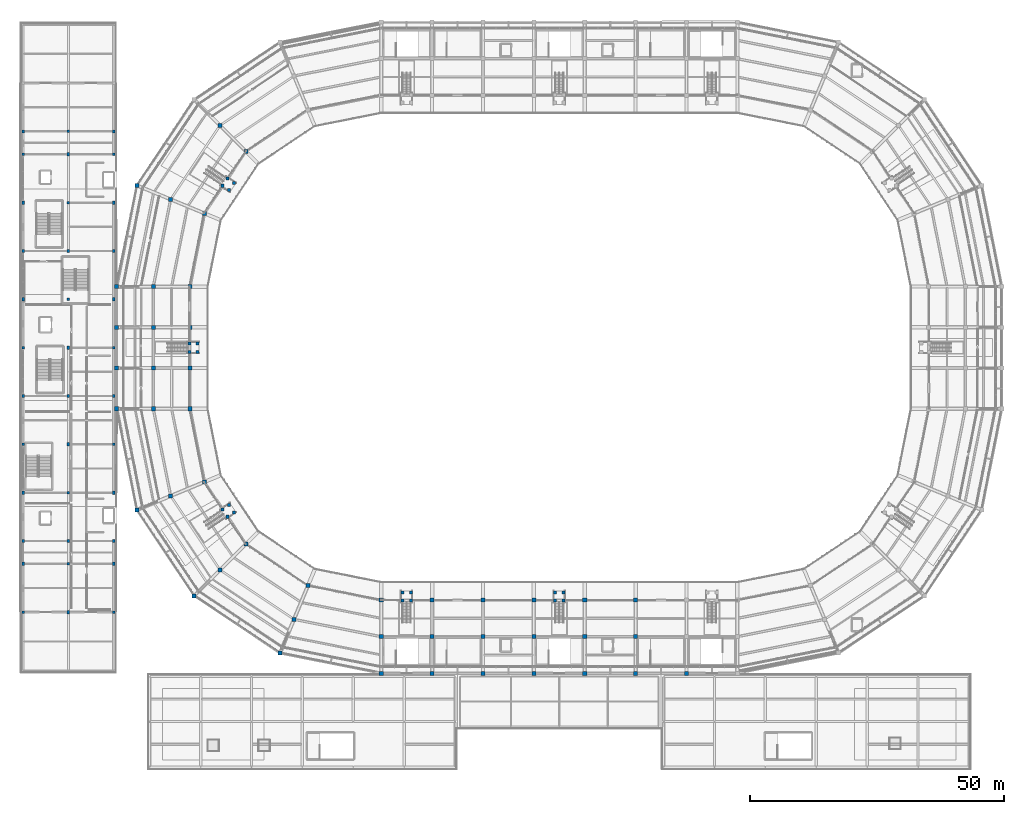
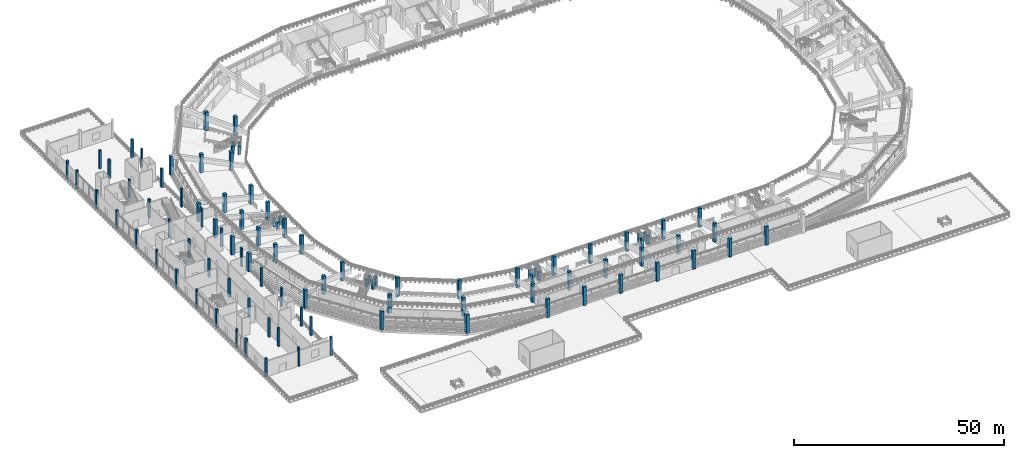
# One storey, part 1 of 96: 101 columns.
"""IFC4 building model written with IfcOpenShell, lengths in metres."""

import ifcopenshell
import ifcopenshell.guid

model = None  # the IFC model being written
_history = None  # IfcOwnerHistory: only IFC2X3 demands one
_inside = {}  # id of a spatial element -> (the spatial element, [elements in it])
_under = {}  # id of a project, library or spatial element -> (it, [spatial elements below it])
_declared = {}  # id of a project -> (the project, [libraries it declares])
_typed = {}  # id of a type object -> (the type object, [elements of that type])
_made_of = {}  # id of a material, layer set ... -> (it, [elements and type objects made of it])


def new_model(schema):
    """Start an empty IFC model of exactly this schema.

    Asked for "IFC4X3", IfcOpenShell would pick the latest addendum, in which some entities
    have other attributes; the version numbers below select the first issue.
    IFC2X3 requires an IfcOwnerHistory on every rooted entity: one is made here for all.
    """
    global model, _history
    if schema == "IFC4X3":
        model = ifcopenshell.file(schema_version=(4, 3, 0, 0))
    else:
        model = ifcopenshell.file(schema=schema)
    _inside.clear()
    _under.clear()
    _declared.clear()
    _typed.clear()
    _made_of.clear()
    _history = None
    if model.schema == "IFC2X3":
        org = make("IfcOrganization", Name="unknown")
        user = make(
            "IfcPersonAndOrganization",
            ThePerson=make("IfcPerson", FamilyName="unknown"),
            TheOrganization=org,
        )
        app = make(
            "IfcApplication",
            ApplicationDeveloper=org,
            Version="unknown",
            ApplicationFullName="unknown",
            ApplicationIdentifier="unknown",
        )
        _history = make(
            "IfcOwnerHistory",
            OwningUser=user,
            OwningApplication=app,
            ChangeAction="ADDED",
            CreationDate=0,
        )
    return model


def make(cls, **values):
    """One entity of the class cls with the attributes given. An attribute that is None is left unset."""
    return model.create_entity(
        cls, **{name: value for name, value in values.items() if value is not None}
    )


def rooted(cls, **values):
    """An entity with a GlobalId (a new one), such as an element, a storey or a relation."""
    return make(cls, GlobalId=ifcopenshell.guid.new(), OwnerHistory=_history, **values)


def si_unit(unit_type, name, prefix=None):
    """IfcSIUnit, for example si_unit("LENGTHUNIT", "METRE", prefix="MILLI")."""
    return make("IfcSIUnit", UnitType=unit_type, Prefix=prefix, Name=name)


def assignment(units):
    """IfcUnitAssignment: the units of a project."""
    return None if units is None else make("IfcUnitAssignment", Units=units)


def point(xyz):
    """IfcCartesianPoint."""
    return None if xyz is None else make("IfcCartesianPoint", Coordinates=xyz)


def direction(xyz):
    """IfcDirection."""
    return None if xyz is None else make("IfcDirection", DirectionRatios=xyz)


def frame(location, z_axis=None, x_axis=None):
    """IfcAxis2Placement3D, a coordinate frame: its origin and axes. An axis left out is left unset."""
    return make(
        "IfcAxis2Placement3D",
        Location=point(location),
        Axis=direction(z_axis),
        RefDirection=direction(x_axis),
    )


def frame_2d(location, x_axis=None):
    """IfcAxis2Placement2D, a coordinate frame in the plane: its origin and x axis."""
    return make(
        "IfcAxis2Placement2D", Location=point(location), RefDirection=direction(x_axis)
    )


def origin():
    """The frame at (0, 0, 0) with its axes left unset."""
    return frame((0.0, 0.0, 0.0))


def origin_2d():
    """The frame at (0, 0) in the plane with its x axis left unset."""
    return frame_2d((0.0, 0.0))


def place(relative_to, where):
    """IfcLocalPlacement: puts the frame where relative to a parent placement (None: the world)."""
    return make(
        "IfcLocalPlacement", PlacementRelTo=relative_to, RelativePlacement=where
    )


def context(
    kind, dimensions, precision=None, world=None, true_north=None, identifier=None
):
    """IfcGeometricRepresentationContext, for example the 3D "Model" context."""
    return make(
        "IfcGeometricRepresentationContext",
        ContextIdentifier=identifier,
        ContextType=kind,
        CoordinateSpaceDimension=dimensions,
        Precision=precision,
        WorldCoordinateSystem=world,
        TrueNorth=true_north,
    )


def subcontext(parent, identifier, kind, view, scale=None):
    """IfcGeometricRepresentationSubContext, for example "Body" below "Model"."""
    return make(
        "IfcGeometricRepresentationSubContext",
        ContextIdentifier=identifier,
        ContextType=kind,
        ParentContext=parent,
        TargetScale=scale,
        TargetView=view,
    )


def project(units=None, contexts=None):
    """IfcProject with its units and contexts."""
    return rooted(
        "IfcProject",
        Name="project",
        RepresentationContexts=contexts,
        UnitsInContext=assignment(units),
    )


def spatial(cls, under=None, at=None, **own):
    """A site, building, storey or space (cls), placed at a placement, below another one or the project."""
    s = rooted(cls, ObjectPlacement=at, **own)
    if under is not None:
        _under.setdefault(under.id(), (under, []))[1].append(s)
    return s


def profile(cls, at=None, kind="AREA", **sizes):
    """A parametric profile (cls). Its sizes go by their IFC names, for example OverallWidth=200.0."""
    return make(cls, ProfileType=kind, Position=at, **sizes)


def rectangle(**sizes):
    """IfcRectangleProfileDef."""
    return profile("IfcRectangleProfileDef", **sizes)


def extrude(swept, where, along, depth):
    """IfcExtrudedAreaSolid: the profile swept, set in the frame where, extruded along a direction by depth."""
    return make(
        "IfcExtrudedAreaSolid",
        SweptArea=swept,
        Position=where,
        ExtrudedDirection=direction(along),
        Depth=depth,
    )


def shape(context_of_items, identifier, shape_type, items):
    """IfcShapeRepresentation: the items that make up one representation, for example the "Body"."""
    return make(
        "IfcShapeRepresentation",
        ContextOfItems=context_of_items,
        RepresentationIdentifier=identifier,
        RepresentationType=shape_type,
        Items=items,
    )


def material(Name=None, Category=None):
    """IfcMaterial."""
    return make("IfcMaterial", Name=Name, Category=Category)


def material_profile(
    of_material, cross_section, Name=None, Category=None, Priority=None
):
    """IfcMaterialProfile: a cross section and its material."""
    return make(
        "IfcMaterialProfile",
        Name=Name,
        Material=of_material,
        Profile=cross_section,
        Priority=Priority,
        Category=Category,
    )


def profile_set(profiles, Name=None, composite=None):
    """IfcMaterialProfileSet."""
    return make(
        "IfcMaterialProfileSet",
        Name=Name,
        MaterialProfiles=profiles,
        CompositeProfile=composite,
    )


def made_of(thing, what):
    """Note that an element or type object is made of a material, layer set ...; save() writes the relation."""
    if what is not None:
        _made_of.setdefault(what.id(), (what, []))[1].append(thing)
    return thing


def type_object(cls, material=None, **own):
    """A type object (cls), such as IfcWallType, which elements share."""
    return made_of(rooted(cls, **own), material)


def element(
    cls,
    number,
    at=None,
    inside=None,
    cuts=None,
    type_object=None,
    material=None,
    context=None,
    identifier="Body",
    shape_type=None,
    held_by="IfcProductDefinitionShape",
    body=None,
    shapes=None,
    **own,
):
    """One element of the class cls, such as IfcWall. Its Tag is "e" and its number.

    at: its placement. inside: the storey or other place that contains it. cuts: it is an
    opening in that element (IfcRelVoidsElement). A single representation is given by context,
    identifier, shape_type and body (its items); several are given by shapes. held_by: the class
    of the entity that holds the representations. save() writes the other relations.
    """
    e = rooted(cls, Tag="e%d" % number, ObjectPlacement=at, **own)
    if body is not None:
        shapes = [shape(context, identifier, shape_type, body)]
    if shapes is not None:
        e.Representation = make(held_by, Representations=shapes)
    if inside is not None:
        _inside.setdefault(inside.id(), (inside, []))[1].append(e)
    if cuts is not None:
        rooted(
            "IfcRelVoidsElement", RelatingBuildingElement=cuts, RelatedOpeningElement=e
        )
    if type_object is not None:
        _typed.setdefault(type_object.id(), (type_object, []))[1].append(e)
    return made_of(e, material)


def aggregate(whole, parts):
    """IfcRelAggregates: a whole, such as a stair, and the parts it consists of."""
    return rooted("IfcRelAggregates", RelatingObject=whole, RelatedObjects=parts)


def save(model, path):
    """Write the relations noted so far, then the file.

    IfcRelAggregates (storeys below a building ...), IfcRelContainedInSpatialStructure (elements
    in a storey), IfcRelDefinesByType, IfcRelAssociatesMaterial and IfcRelDeclares: one each for
    every whole, place, type object, material and project.
    """
    for whole, parts in _under.values():
        aggregate(whole, parts)
    for where, things in _inside.values():
        rooted(
            "IfcRelContainedInSpatialStructure",
            RelatedElements=things,
            RelatingStructure=where,
        )
    for kind, things in _typed.values():
        rooted("IfcRelDefinesByType", RelatedObjects=things, RelatingType=kind)
    for what, things in _made_of.values():
        rooted("IfcRelAssociatesMaterial", RelatedObjects=things, RelatingMaterial=what)
    for by, libraries in _declared.values():
        rooted("IfcRelDeclares", RelatingContext=by, RelatedDefinitions=libraries)
    model.write(path)


model = new_model("IFC4")

# Units and contexts
model_context = context("Model", 3, precision=1e-05, world=origin(), true_north=direction((0.0, 1.0)))
body_context = subcontext(model_context, "Body", "Model", "MODEL_VIEW")
ifc_project = project(units=[si_unit("LENGTHUNIT", "METRE"), si_unit("AREAUNIT", "SQUARE_METRE"), si_unit("VOLUMEUNIT", "CUBIC_METRE"), si_unit("PLANEANGLEUNIT", "RADIAN"), si_unit("MASSUNIT", "GRAM", prefix="KILO")], contexts=[model_context])

# Site, building, storey
site_placement = place(None, origin())
site = spatial("IfcSite", under=ifc_project, at=site_placement, CompositionType="ELEMENT")
building_placement = place(site_placement, origin())
building = spatial("IfcBuilding", under=site, at=building_placement, Name="Candeia Ridge Stadium", CompositionType="ELEMENT")
storey_placement = place(building_placement, frame((0.0, 0.0, 21.60009765625)))
storey = spatial("IfcBuildingStorey", under=building, at=storey_placement, Name="L04", CompositionType="ELEMENT", Elevation=21.60009765625)

# Columns
ifc_material_1 = material(Name="Concrete C45/55", Category="concrete")
ifc_material_profile_1 = material_profile(ifc_material_1, rectangle(XDim=0.800048828125, YDim=0.800048828125, at=origin_2d()), Name="RC800x800", Category="concrete")
ifc_profile_set_1 = profile_set([ifc_material_profile_1], Name="Concrete C45/55")
column_type_1 = type_object("IfcColumnType", Name="Bowl Column RC800x800", PredefinedType="COLUMN", material=ifc_profile_set_1)
for number, where, z_axis, x_axis, name in (
    (1, (44.412841796875, 121.587158203125, 0.0), (0.0, 0.0, 1.0), (1.0, 0.0, 0.0), "Structural column BC-MD-09 L04"),
    (2, (39.321533203125, 126.678466796875, 0.0), (0.0, 0.0, 1.0), (1.0, 0.0, 0.0), "Structural column BC-M2-09 L04"),
    (3, (36.26220703125, 109.388916015625, 0.0), (0.0, 0.0, 1.0), (1.0, 0.0, 0.0), "Structural column BC-MD-10 L04"),
    (4, (29.610107421875, 112.144287109375, 0.0), (0.0, 0.0, 1.0), (1.0, 0.0, 0.0), "Structural column BC-M2-10 L04"),
    (5, (22.958251953125, 114.899658203125, 0.0), (0.0, 0.0, 1.0), (1.0, 0.0, 0.0), "Structural column BC-OU-10 L04"),
    (6, (33.39990234375, 95.0, 0.0), (0.0, 0.0, 1.0), (1.0, 0.0, 0.0), "Structural column BC-MD-11 L04"),
    (7, (26.199951171875, 95.0, 0.0), (0.0, 0.0, 1.0), (1.0, 0.0, 0.0), "Structural column BC-M2-11 L04"),
    (8, (19.0, 95.0, 0.0), (0.0, 0.0, 1.0), (1.0, 0.0, 0.0), "Structural column BC-OU-11 L04"),
    (9, (33.39990234375, 87.0, 0.0), (0.0, 0.0, 1.0), (1.0, 0.0, 0.0), "Structural column BC-MD-12 L04"),
    (10, (26.199951171875, 87.0, 0.0), (0.0, 0.0, 1.0), (1.0, 0.0, 0.0), "Structural column BC-M2-12 L04"),
    (11, (19.0, 87.0, 0.0), (0.0, 0.0, 1.0), (1.0, 0.0, 0.0), "Structural column BC-OU-12 L04"),
    (12, (33.39990234375, 79.0, 0.0), (0.0, 0.0, 1.0), (1.0, 0.0, 0.0), "Structural column BC-MD-13 L04"),
    (13, (26.199951171875, 79.0, 0.0), (0.0, 0.0, 1.0), (1.0, 0.0, 0.0), "Structural column BC-M2-13 L04"),
    (14, (19.0, 79.0, 0.0), (0.0, 0.0, 1.0), (1.0, 0.0, 0.0), "Structural column BC-OU-13 L04"),
    (15, (33.39990234375, 71.0, 0.0), (0.0, 0.0, 1.0), (1.0, 0.0, 0.0), "Structural column BC-MD-14 L04"),
    (16, (26.199951171875, 71.0, 0.0), (0.0, 0.0, 1.0), (1.0, 0.0, 0.0), "Structural column BC-M2-14 L04"),
    (17, (19.0, 71.0, 0.0), (0.0, 0.0, 1.0), (1.0, 0.0, 0.0), "Structural column BC-OU-14 L04"),
    (18, (36.26220703125, 56.611083984375, 0.0), (0.0, 0.0, 1.0), (1.0, 0.0, 0.0), "Structural column BC-MD-15 L04"),
    (19, (29.610107421875, 53.855712890625, 0.0), (0.0, 0.0, 1.0), (1.0, 0.0, 0.0), "Structural column BC-M2-15 L04"),
    (20, (22.958251953125, 51.100341796875, 0.0), (0.0, 0.0, 1.0), (1.0, 0.0, 0.0), "Structural column BC-OU-15 L04"),
    (21, (44.412841796875, 44.412841796875, 0.0), (0.0, 0.0, 1.0), (1.0, 0.0, 0.0), "Structural column BC-MD-16 L04"),
    (22, (39.321533203125, 39.321533203125, 0.0), (0.0, 0.0, 1.0), (1.0, 0.0, 0.0), "Structural column BC-M2-16 L04"),
    (23, (34.23046875, 34.23046875, 0.0), (0.0, 0.0, 1.0), (1.0, 0.0, 0.0), "Structural column BC-OU-16 L04"),
    (24, (56.611083984375, 36.26220703125, 0.0), (0.0, 0.0, 1.0), (1.0, 0.0, 0.0), "Structural column BC-MD-17 L04"),
    (25, (53.855712890625, 29.610107421875, 0.0), (0.0, 0.0, 1.0), (1.0, 0.0, 0.0), "Structural column BC-M2-17 L04"),
    (26, (51.100341796875, 22.958251953125, 0.0), (0.0, 0.0, 1.0), (1.0, 0.0, 0.0), "Structural column BC-OU-17 L04"),
    (27, (71.0, 33.39990234375, 0.0), (0.0, 0.0, 1.0), (1.0, 0.0, 0.0), "Structural column BC-MD-18 L04"),
    (28, (71.0, 26.199951171875, 0.0), (0.0, 0.0, 1.0), (1.0, 0.0, 0.0), "Structural column BC-M2-18 L04"),
    (29, (71.0, 19.0, 0.0), (0.0, 0.0, 1.0), (1.0, 0.0, 0.0), "Structural column BC-OU-18 L04"),
    (30, (81.0, 33.39990234375, 0.0), (0.0, 0.0, 1.0), (1.0, 0.0, 0.0), "Structural column BC-MD-19 L04"),
    (31, (81.0, 26.199951171875, 0.0), (0.0, 0.0, 1.0), (1.0, 0.0, 0.0), "Structural column BC-M2-19 L04"),
    (32, (81.0, 19.0, 0.0), (0.0, 0.0, 1.0), (1.0, 0.0, 0.0), "Structural column BC-OU-19 L04"),
    (33, (91.0, 33.39990234375, 0.0), (0.0, 0.0, 1.0), (1.0, 0.0, 0.0), "Structural column BC-MD-20 L04"),
    (34, (91.0, 26.199951171875, 0.0), (0.0, 0.0, 1.0), (1.0, 0.0, 0.0), "Structural column BC-M2-20 L04"),
    (35, (91.0, 19.0, 0.0), (0.0, 0.0, 1.0), (1.0, 0.0, 0.0), "Structural column BC-OU-20 L04"),
    (36, (101.0, 33.39990234375, 0.0), (0.0, 0.0, 1.0), (1.0, 0.0, 0.0), "Structural column BC-MD-21 L04"),
    (37, (101.0, 26.199951171875, 0.0), (0.0, 0.0, 1.0), (1.0, 0.0, 0.0), "Structural column BC-M2-21 L04"),
    (38, (101.0, 19.0, 0.0), (0.0, 0.0, 1.0), (1.0, 0.0, 0.0), "Structural column BC-OU-21 L04"),
    (39, (111.0, 33.39990234375, 0.0), (0.0, 0.0, 1.0), (1.0, 0.0, 0.0), "Structural column BC-MD-22 L04"),
    (40, (111.0, 26.199951171875, 0.0), (0.0, 0.0, 1.0), (1.0, 0.0, 0.0), "Structural column BC-M2-22 L04"),
    (41, (111.0, 19.0, 0.0), (0.0, 0.0, 1.0), (1.0, 0.0, 0.0), "Structural column BC-OU-22 L04"),
    (42, (121.0, 33.39990234375, 0.0), (0.0, 0.0, 1.0), (1.0, 0.0, 0.0), "Structural column BC-MD-23 L04"),
    (43, (121.0, 26.199951171875, 0.0), (0.0, 0.0, 1.0), (1.0, 0.0, 0.0), "Structural column BC-M2-23 L04"),
    (44, (121.0, 19.0, 0.0), (0.0, 0.0, 1.0), (1.0, 0.0, 0.0), "Structural column BC-OU-23 L04"),
    (45, (131.0, 19.0, 0.0), (0.0, 0.0, 1.0), (1.0, 0.0, 0.0), "Structural column BC-OU-24 L04"),
):
    element("IfcColumn", number, at=place(storey_placement, frame(where, z_axis=z_axis, x_axis=x_axis)), inside=storey, type_object=column_type_1, Name=name, PredefinedType="COLUMN", context=body_context, shape_type="SweptSolid", body=[
        extrude(rectangle(XDim=0.800048828125, YDim=0.800048828125, at=origin_2d()), origin(), (0.0, 0.0, 1.0), 5.39990234375),
    ])
ifc_material_2 = material(Name="Concrete C40/50", Category="concrete")
ifc_material_profile_2 = material_profile(ifc_material_2, rectangle(XDim=0.5, YDim=0.5, at=origin_2d()), Name="RC500x500", Category="concrete")
ifc_profile_set_2 = profile_set([ifc_material_profile_2], Name="Concrete C40/50")
column_type_2 = type_object("IfcColumnType", Name="Reinforced Concrete Column RC500x500", PredefinedType="COLUMN", material=ifc_profile_set_2)
for number, where, z_axis, x_axis, name in (
    (46, (0.60009765625, 31.0, 0.0), (0.0, 0.0, 1.0), (1.0, 0.0, 0.0), "Structural column WP-00-01 L04"),
    (47, (0.60009765625, 45.0, 0.0), (0.0, 0.0, 1.0), (1.0, 0.0, 0.0), "Structural column WP-00-03 L04"),
    (48, (0.60009765625, 64.0, 0.0), (0.0, 0.0, 1.0), (1.0, 0.0, 0.0), "Structural column WP-00-05 L04"),
    (49, (0.60009765625, 83.0, 0.0), (0.0, 0.0, 1.0), (1.0, 0.0, 0.0), "Structural column WP-00-07 L04"),
    (50, (0.60009765625, 102.0, 0.0), (0.0, 0.0, 1.0), (1.0, 0.0, 0.0), "Structural column WP-00-09 L04"),
    (51, (0.60009765625, 121.0, 0.0), (0.0, 0.0, 1.0), (1.0, 0.0, 0.0), "Structural column WP-00-11 L04"),
    (52, (9.5, 40.5, 0.0), (0.0, 0.0, 1.0), (1.0, 0.0, 0.0), "Structural column WP-01-02 L04"),
    (53, (9.5, 54.5, 0.0), (0.0, 0.0, 1.0), (1.0, 0.0, 0.0), "Structural column WP-01-04 L04"),
    (54, (9.5, 73.5, 0.0), (0.0, 0.0, 1.0), (1.0, 0.0, 0.0), "Structural column WP-01-06 L04"),
    (55, (9.5, 92.5, 0.0), (0.0, 0.0, 1.0), (1.0, 0.0, 0.0), "Structural column WP-01-08 L04"),
    (56, (9.5, 111.5, 0.0), (0.0, 0.0, 1.0), (1.0, 0.0, 0.0), "Structural column WP-01-10 L04"),
    (57, (9.5, 125.5, 0.0), (0.0, 0.0, 1.0), (1.0, 0.0, 0.0), "Structural column WP-01-12 L04"),
    (58, (18.39990234375, 31.0, 0.0), (0.0, 0.0, 1.0), (1.0, 0.0, 0.0), "Structural column WP-02-01 L04"),
    (59, (18.39990234375, 45.0, 0.0), (0.0, 0.0, 1.0), (1.0, 0.0, 0.0), "Structural column WP-02-03 L04"),
    (60, (18.39990234375, 64.0, 0.0), (0.0, 0.0, 1.0), (1.0, 0.0, 0.0), "Structural column WP-02-05 L04"),
    (61, (18.39990234375, 83.0, 0.0), (0.0, 0.0, 1.0), (1.0, 0.0, 0.0), "Structural column WP-02-07 L04"),
    (62, (18.39990234375, 102.0, 0.0), (0.0, 0.0, 1.0), (1.0, 0.0, 0.0), "Structural column WP-02-09 L04"),
    (63, (18.39990234375, 121.0, 0.0), (0.0, 0.0, 1.0), (1.0, 0.0, 0.0), "Structural column WP-02-11 L04"),
):
    element("IfcColumn", number, at=place(storey_placement, frame(where, z_axis=z_axis, x_axis=x_axis)), inside=storey, type_object=column_type_2, Name=name, PredefinedType="COLUMN", context=body_context, shape_type="SweptSolid", body=[
        extrude(rectangle(XDim=0.5, YDim=0.5, at=origin_2d()), origin(), (0.0, 0.0, 1.0), 5.39990234375),
    ])
ifc_material_profile_3 = material_profile(ifc_material_2, rectangle(XDim=0.5, YDim=0.64990234375, at=origin_2d()), Name="RC500x650", Category="concrete")
ifc_profile_set_3 = profile_set([ifc_material_profile_3], Name="Concrete C40/50")
column_type_3 = type_object("IfcColumnType", Name="Reinforced Concrete Column RC500x650", PredefinedType="COLUMN", material=ifc_profile_set_3)
for number, where, z_axis, x_axis, name in (
    (64, (0.60009765625, 40.5, 0.0), (0.0, 0.0, 1.0), (1.0, 0.0, 0.0), "Structural column WP-00-02 L04"),
    (65, (0.60009765625, 54.5, 0.0), (0.0, 0.0, 1.0), (1.0, 0.0, 0.0), "Structural column WP-00-04 L04"),
    (66, (0.60009765625, 73.5, 0.0), (0.0, 0.0, 1.0), (1.0, 0.0, 0.0), "Structural column WP-00-06 L04"),
    (67, (0.60009765625, 92.5, 0.0), (0.0, 0.0, 1.0), (1.0, 0.0, 0.0), "Structural column WP-00-08 L04"),
    (68, (0.60009765625, 111.5, 0.0), (0.0, 0.0, 1.0), (1.0, 0.0, 0.0), "Structural column WP-00-10 L04"),
    (69, (0.60009765625, 125.5, 0.0), (0.0, 0.0, 1.0), (1.0, 0.0, 0.0), "Structural column WP-00-12 L04"),
    (70, (9.5, 31.0, 0.0), (0.0, 0.0, 1.0), (1.0, 0.0, 0.0), "Structural column WP-01-01 L04"),
    (71, (9.5, 45.0, 0.0), (0.0, 0.0, 1.0), (1.0, 0.0, 0.0), "Structural column WP-01-03 L04"),
    (72, (9.5, 64.0, 0.0), (0.0, 0.0, 1.0), (1.0, 0.0, 0.0), "Structural column WP-01-05 L04"),
    (73, (9.5, 83.0, 0.0), (0.0, 0.0, 1.0), (1.0, 0.0, 0.0), "Structural column WP-01-07 L04"),
    (74, (9.5, 102.0, 0.0), (0.0, 0.0, 1.0), (1.0, 0.0, 0.0), "Structural column WP-01-09 L04"),
    (75, (9.5, 121.0, 0.0), (0.0, 0.0, 1.0), (1.0, 0.0, 0.0), "Structural column WP-01-11 L04"),
    (76, (18.39990234375, 40.5, 0.0), (0.0, 0.0, 1.0), (1.0, 0.0, 0.0), "Structural column WP-02-02 L04"),
    (77, (18.39990234375, 54.5, 0.0), (0.0, 0.0, 1.0), (1.0, 0.0, 0.0), "Structural column WP-02-04 L04"),
    (78, (18.39990234375, 73.5, 0.0), (0.0, 0.0, 1.0), (1.0, 0.0, 0.0), "Structural column WP-02-06 L04"),
    (79, (18.39990234375, 92.5, 0.0), (0.0, 0.0, 1.0), (1.0, 0.0, 0.0), "Structural column WP-02-08 L04"),
    (80, (18.39990234375, 111.5, 0.0), (0.0, 0.0, 1.0), (1.0, 0.0, 0.0), "Structural column WP-02-10 L04"),
    (81, (18.39990234375, 125.5, 0.0), (0.0, 0.0, 1.0), (1.0, 0.0, 0.0), "Structural column WP-02-12 L04"),
):
    element("IfcColumn", number, at=place(storey_placement, frame(where, z_axis=z_axis, x_axis=x_axis)), inside=storey, type_object=column_type_3, Name=name, PredefinedType="COLUMN", context=body_context, shape_type="SweptSolid", body=[
        extrude(rectangle(XDim=0.5, YDim=0.64990234375, at=origin_2d()), origin(), (0.0, 0.0, 1.0), 5.39990234375),
    ])
ifc_material_profile_4 = material_profile(ifc_material_2, rectangle(XDim=0.60009765625, YDim=0.60009765625, at=origin_2d()), Name="RC600x600", Category="concrete")
ifc_profile_set_4 = profile_set([ifc_material_profile_4], Name="Concrete C40/50")
column_type_4 = type_object("IfcColumnType", Name="Wing Column RC600x600", PredefinedType="COLUMN", material=ifc_profile_set_4)
for number, where, z_axis, x_axis, name in (
    (82, (39.803955078125, 114.822265625, 0.0), (0.0, 0.0, 1.0), (1.0, 0.0, 0.0), "Vomitory VS28 landing support column 1 L04"),
    (83, (41.0927734375, 113.961181640625, 0.0), (0.0, 0.0, 1.0), (1.0, 0.0, 0.0), "Vomitory VS28 landing support column 2 L04"),
    (84, (42.037109375, 115.37451171875, 0.0), (0.0, 0.0, 1.0), (1.0, 0.0, 0.0), "Vomitory VS28 landing support column 3 L04"),
    (85, (40.748291015625, 116.23583984375, 0.0), (0.0, 0.0, 1.0), (1.0, 0.0, 0.0), "Vomitory VS28 landing support column 4 L04"),
    (86, (33.318115234375, 82.14990234375, 0.0), (0.0, 0.0, 1.0), (1.0, 0.0, 0.0), "Vomitory VS29 landing support column 1 L04"),
    (87, (34.867919921875, 82.14990234375, 0.0), (0.0, 0.0, 1.0), (1.0, 0.0, 0.0), "Vomitory VS29 landing support column 2 L04"),
    (88, (34.867919921875, 83.85009765625, 0.0), (0.0, 0.0, 1.0), (1.0, 0.0, 0.0), "Vomitory VS29 landing support column 3 L04"),
    (89, (33.318115234375, 83.85009765625, 0.0), (0.0, 0.0, 1.0), (1.0, 0.0, 0.0), "Vomitory VS29 landing support column 4 L04"),
    (90, (40.748291015625, 49.76416015625, 0.0), (0.0, 0.0, 1.0), (1.0, 0.0, 0.0), "Vomitory VS30 landing support column 1 L04"),
    (91, (42.037109375, 50.62548828125, 0.0), (0.0, 0.0, 1.0), (1.0, 0.0, 0.0), "Vomitory VS30 landing support column 2 L04"),
    (92, (41.0927734375, 52.038818359375, 0.0), (0.0, 0.0, 1.0), (1.0, 0.0, 0.0), "Vomitory VS30 landing support column 3 L04"),
    (93, (39.803955078125, 51.177734375, 0.0), (0.0, 0.0, 1.0), (1.0, 0.0, 0.0), "Vomitory VS30 landing support column 4 L04"),
    (94, (76.85009765625, 33.318115234375, 0.0), (0.0, 0.0, 1.0), (1.0, 0.0, 0.0), "Vomitory VS31 landing support column 1 L04"),
    (95, (76.85009765625, 34.867919921875, 0.0), (0.0, 0.0, 1.0), (1.0, 0.0, 0.0), "Vomitory VS31 landing support column 2 L04"),
    (96, (75.14990234375, 34.867919921875, 0.0), (0.0, 0.0, 1.0), (1.0, 0.0, 0.0), "Vomitory VS31 landing support column 3 L04"),
    (97, (75.14990234375, 33.318115234375, 0.0), (0.0, 0.0, 1.0), (1.0, 0.0, 0.0), "Vomitory VS31 landing support column 4 L04"),
    (98, (106.85009765625, 33.318115234375, 0.0), (0.0, 0.0, 1.0), (1.0, 0.0, 0.0), "Vomitory VS32 landing support column 1 L04"),
    (99, (106.85009765625, 34.867919921875, 0.0), (0.0, 0.0, 1.0), (1.0, 0.0, 0.0), "Vomitory VS32 landing support column 2 L04"),
    (100, (105.14990234375, 34.867919921875, 0.0), (0.0, 0.0, 1.0), (1.0, 0.0, 0.0), "Vomitory VS32 landing support column 3 L04"),
    (101, (105.14990234375, 33.318115234375, 0.0), (0.0, 0.0, 1.0), (1.0, 0.0, 0.0), "Vomitory VS32 landing support column 4 L04"),
):
    element("IfcColumn", number, at=place(storey_placement, frame(where, z_axis=z_axis, x_axis=x_axis)), inside=storey, type_object=column_type_4, Name=name, PredefinedType="COLUMN", context=body_context, shape_type="SweptSolid", body=[
        extrude(rectangle(XDim=0.60009765625, YDim=0.60009765625, at=origin_2d()), origin(), (0.0, 0.0, 1.0), 2.493896484375),
    ])

save(model, "model.ifc")
